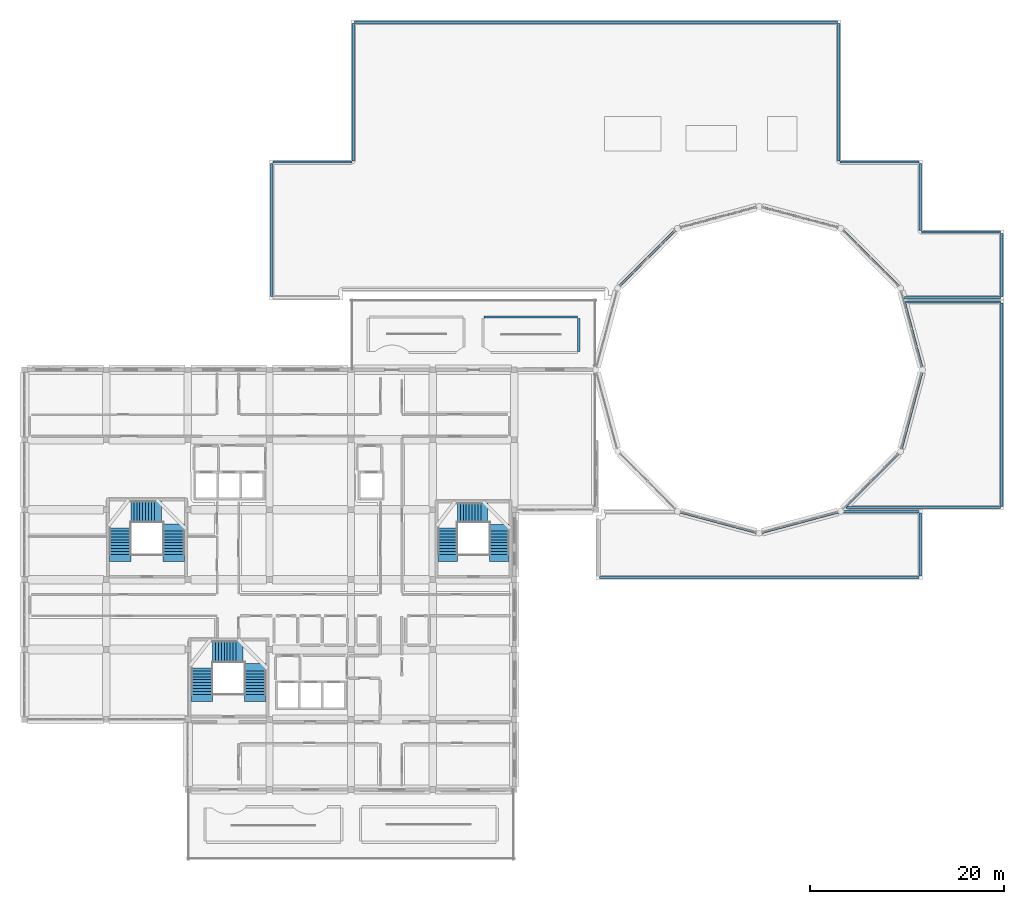
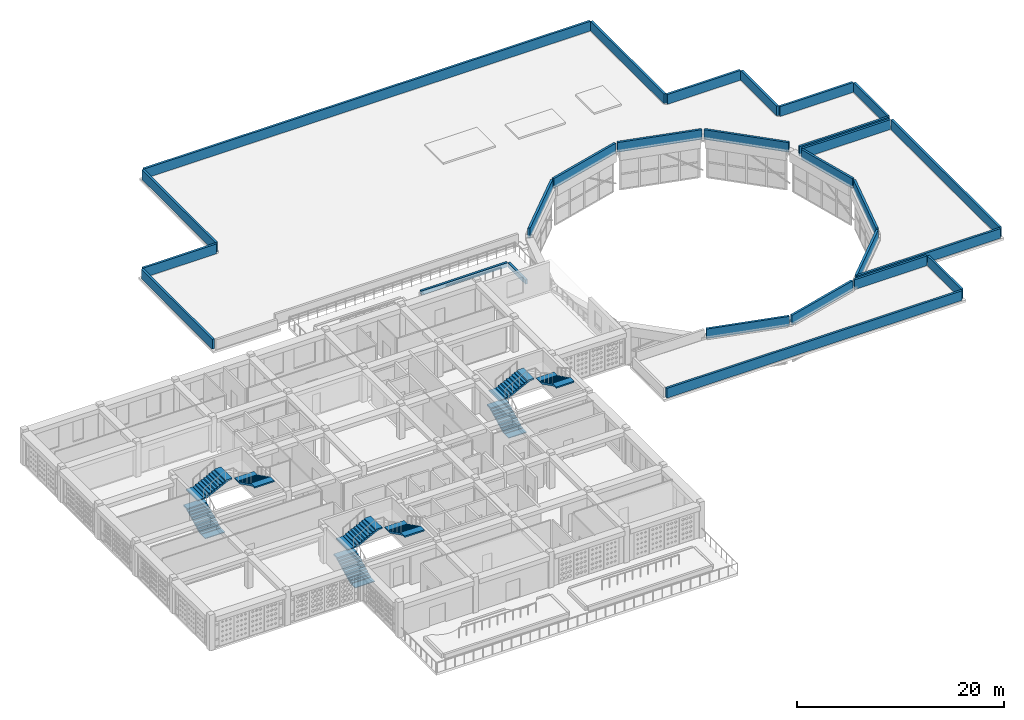
# One storey, part 33 of 48: 27 walls, 9 stair flights, 3 elements without a shape of their own.
"""IFC4 building model written with IfcOpenShell, lengths in metres."""

from ifc_helpers import new_model, si_unit, derived_unit, direction, frame, frame_2d, origin, place, context, subcontext, project, spatial, polyline, rectangle, outline, extrude, material, layer, layer_set, type_object, element, aggregate, save


model = new_model("IFC4")

# Units and contexts
model_context = context("Model", 3, precision=1e-05, world=origin(), true_north=direction((0.0, 1.0)))
body_context = subcontext(model_context, "Body", "Model", "MODEL_VIEW")
ifc_project = project(units=[si_unit("LENGTHUNIT", "METRE"), si_unit("AREAUNIT", "SQUARE_METRE"), si_unit("VOLUMEUNIT", "CUBIC_METRE"), si_unit("PLANEANGLEUNIT", "RADIAN"), si_unit("MASSUNIT", "GRAM", prefix="KILO"), derived_unit("THERMALTRANSMITTANCEUNIT", [(si_unit("POWERUNIT", "WATT"), 1), (si_unit("LENGTHUNIT", "METRE"), -2), (si_unit("THERMODYNAMICTEMPERATUREUNIT", "KELVIN"), -1)])], contexts=[model_context])

# Site, building, storey
site_placement = place(None, origin())
site = spatial("IfcSite", under=ifc_project, at=site_placement, CompositionType="ELEMENT")
building_placement = place(site_placement, origin())
building = spatial("IfcBuilding", under=site, at=building_placement, Name="Veybourne Emporium", CompositionType="ELEMENT")
storey_placement = place(building_placement, frame((0.0, 0.0, 27.89990234375)))
storey = spatial("IfcBuildingStorey", under=building, at=storey_placement, Name="L06", CompositionType="ELEMENT", Elevation=27.89990234375)

# Walls
ifc_material_1 = material(Name="Precast concrete C40/50", Category="concrete")
ifc_layer = layer(ifc_material_1, 0.239990234375)
ifc_layer_set = layer_set([ifc_layer], Name="Precast concrete C40/50")
wall_type = type_object("IfcWallType", Name="ExtWall_PW-02", PredefinedType="PARAPET", material=ifc_layer_set)
wall_1_placement = place(storey_placement, frame((47.300048828125, 55.830078125, 0.0), z_axis=(0.0, 0.0, 1.0), x_axis=(1.0, 0.0, 0.0)))
element("IfcWall", 1, at=wall_1_placement, inside=storey, type_object=wall_type, Name="L06 planted roof-garden kerb 002", PredefinedType="PARAPET", context=body_context, shape_type="SweptSolid", body=[
    extrude(rectangle(XDim=9.599853515625, YDim=0.239990234375, at=frame_2d((4.7998046875, 0.0))), origin(), (0.0, 0.0, 1.0), 0.5),
])
wall_2_placement = place(storey_placement, frame((57.030029296875, 55.699951171875, 0.0), z_axis=(0.0, 0.0, 1.0), x_axis=(0.0, -1.0, 0.0)))
element("IfcWall", 2, at=wall_2_placement, inside=storey, type_object=wall_type, Name="L06 planted roof-garden kerb 003", PredefinedType="PARAPET", context=body_context, shape_type="SweptSolid", body=[
    extrude(rectangle(XDim=3.39990234375, YDim=0.239990234375, at=frame_2d((1.699951171875, 0.0))), origin(), (0.0, 0.0, 1.0), 0.5),
])
wall_3_placement = place(storey_placement, frame((33.949951171875, 86.179931640625, 0.0), z_axis=(0.0, 0.0, 1.0), x_axis=(1.0, 0.0, 0.0)))
element("IfcWall", 3, at=wall_3_placement, inside=storey, type_object=wall_type, Name="L06 roof parapet wall 001", PredefinedType="PARAPET", context=body_context, shape_type="SweptSolid", body=[
    extrude(rectangle(XDim=49.699951171875, YDim=0.239990234375, at=frame_2d((24.85009765625, 0.0))), origin(), (0.0, 0.0, 1.0), 1.150146484375),
])
wall_4_placement = place(storey_placement, frame((83.780029296875, 86.050048828125, 0.0), z_axis=(0.0, 0.0, 1.0), x_axis=(0.0, -1.0, 0.0)))
element("IfcWall", 4, at=wall_4_placement, inside=storey, type_object=wall_type, Name="L06 roof parapet wall 002", PredefinedType="PARAPET", context=body_context, shape_type="SweptSolid", body=[
    extrude(rectangle(XDim=14.14013671875, YDim=0.239990234375, at=frame_2d((7.070068359375, 0.0))), origin(), (0.0, 0.0, 1.0), 1.150146484375),
])
wall_5_placement = place(storey_placement, frame((83.909912109375, 71.780029296875, 0.0), z_axis=(0.0, 0.0, 1.0), x_axis=(1.0, 0.0, 0.0)))
element("IfcWall", 5, at=wall_5_placement, inside=storey, type_object=wall_type, Name="L06 roof parapet wall 003", PredefinedType="PARAPET", context=body_context, shape_type="SweptSolid", body=[
    extrude(rectangle(XDim=8.14013671875, YDim=0.239990234375, at=frame_2d((4.070068359375, 0.0))), origin(), (0.0, 0.0, 1.0), 1.150146484375),
])
wall_6_placement = place(storey_placement, frame((92.179931640625, 71.64990234375, 0.0), z_axis=(0.0, 0.0, 1.0), x_axis=(0.0, -1.0, 0.0)))
element("IfcWall", 6, at=wall_6_placement, inside=storey, type_object=wall_type, Name="L06 roof parapet wall 004", PredefinedType="PARAPET", context=body_context, shape_type="SweptSolid", body=[
    extrude(rectangle(XDim=6.93994140625, YDim=0.239990234375, at=frame_2d((3.469970703125, 0.0))), origin(), (0.0, 0.0, 1.0), 1.150146484375),
])
wall_7_placement = place(storey_placement, frame((92.31005859375, 64.580078125, 0.0), z_axis=(0.0, 0.0, 1.0), x_axis=(1.0, 0.0, 0.0)))
element("IfcWall", 7, at=wall_7_placement, inside=storey, type_object=wall_type, Name="L06 roof parapet wall 005", PredefinedType="PARAPET", context=body_context, shape_type="SweptSolid", body=[
    extrude(rectangle(XDim=8.139892578125, YDim=0.239990234375, at=frame_2d((4.06982421875, 0.0))), origin(), (0.0, 0.0, 1.0), 1.150146484375),
])
wall_8_placement = place(storey_placement, frame((100.580078125, 64.449951171875, 0.0), z_axis=(0.0, 0.0, 1.0), x_axis=(0.0, -1.0, 0.0)))
element("IfcWall", 8, at=wall_8_placement, inside=storey, type_object=wall_type, Name="L06 roof parapet wall 006", PredefinedType="PARAPET", context=body_context, shape_type="SweptSolid", body=[
    extrude(rectangle(XDim=6.5, YDim=0.239990234375, at=frame_2d((3.25, 0.0))), origin(), (0.0, 0.0, 1.0), 1.150146484375),
])
wall_9_placement = place(storey_placement, frame((100.449951171875, 57.820068359375, 0.0), z_axis=(0.0, 0.0, 1.0), x_axis=(-1.0, 0.0, 0.0)))
element("IfcWall", 9, at=wall_9_placement, inside=storey, type_object=wall_type, Name="L06 roof parapet wall 007", PredefinedType="PARAPET", context=body_context, shape_type="SweptSolid", body=[
    extrude(rectangle(XDim=9.88037109375, YDim=0.239990234375, at=frame_2d((4.940185546875, 0.0))), origin(), (0.0, 0.0, 1.0), 1.150146484375),
])
for number, where, z_axis, x_axis, name in (
    (10, (90.081298828125, 58.90576171875, 0.0), (0.0, 0.0, 1.0), (-0.707106781187, 0.707106781187, 0.0), "L06 roof parapet wall 008"),
    (11, (83.888427734375, 65.0068359375, 0.0), (0.0, 0.0, 1.0), (-0.965924968615, 0.258822245964, 0.0), "L06 roof parapet wall 009"),
    (12, (75.474365234375, 67.194091796875, 0.0), (0.0, 0.0, 1.0), (-0.965923033247, -0.258829468651, 0.0), "L06 roof parapet wall 010"),
    (13, (67.09423828125, 64.88134765625, 0.0), (0.0, 0.0, 1.0), (-0.707106781187, -0.707106781187, 0.0), "L06 roof parapet wall 011"),
):
    element("IfcWall", number, at=place(storey_placement, frame(where, z_axis=z_axis, x_axis=x_axis)), inside=storey, type_object=wall_type, Name=name, PredefinedType="PARAPET", context=body_context, shape_type="SweptSolid", body=[
        extrude(rectangle(XDim=8.45068359375, YDim=0.239990234375, at=frame_2d((4.225341796875, 0.0))), origin(), (0.0, 0.0, 1.0), 1.150146484375),
    ])
wall_10_placement = place(storey_placement, frame((25.419921875, 57.949951171875, 0.0), z_axis=(0.0, 0.0, 1.0), x_axis=(0.0, 1.0, 0.0)))
element("IfcWall", 14, at=wall_10_placement, inside=storey, type_object=wall_type, Name="L06 roof parapet wall 014", PredefinedType="PARAPET", context=body_context, shape_type="SweptSolid", body=[
    extrude(rectangle(XDim=13.699951171875, YDim=0.239990234375, at=frame_2d((6.85009765625, 0.0))), origin(), (0.0, 0.0, 1.0), 1.150146484375),
])
wall_11_placement = place(storey_placement, frame((25.550048828125, 71.780029296875, 0.0), z_axis=(0.0, 0.0, 1.0), x_axis=(1.0, 0.0, 0.0)))
element("IfcWall", 15, at=wall_11_placement, inside=storey, type_object=wall_type, Name="L06 roof parapet wall 015", PredefinedType="PARAPET", context=body_context, shape_type="SweptSolid", body=[
    extrude(rectangle(XDim=8.139892578125, YDim=0.239990234375, at=frame_2d((4.06982421875, 0.0))), origin(), (0.0, 0.0, 1.0), 1.150146484375),
])
wall_12_placement = place(storey_placement, frame((33.820068359375, 71.909912109375, 0.0), z_axis=(0.0, 0.0, 1.0), x_axis=(0.0, 1.0, 0.0)))
element("IfcWall", 16, at=wall_12_placement, inside=storey, type_object=wall_type, Name="L06 roof parapet wall 016", PredefinedType="PARAPET", context=body_context, shape_type="SweptSolid", body=[
    extrude(rectangle(XDim=14.14013671875, YDim=0.239990234375, at=frame_2d((7.070068359375, 0.0))), origin(), (0.0, 0.0, 1.0), 1.150146484375),
])
for number, where, z_axis, x_axis, name in (
    (17, (67.486083984375, 35.746337890625, 0.0), (0.0, 0.0, 1.0), (0.965928022444, -0.258810848801, 0.0), "L06 roof parapet wall 017"),
    (18, (75.7255859375, 33.60595703125, 0.0), (0.0, 0.0, 1.0), (0.965928022444, 0.258810848801, 0.0), "L06 roof parapet wall 018"),
):
    element("IfcWall", number, at=place(storey_placement, frame(where, z_axis=z_axis, x_axis=x_axis)), inside=storey, type_object=wall_type, Name=name, PredefinedType="PARAPET", context=body_context, shape_type="SweptSolid", body=[
        extrude(rectangle(XDim=8.27001953125, YDim=0.239990234375, at=frame_2d((4.135009765625, 0.0))), origin(), (0.0, 0.0, 1.0), 1.150146484375),
    ])
wall_13_placement = place(storey_placement, frame((83.969482421875, 35.780029296875, 0.0), z_axis=(0.0, 0.0, 1.0), x_axis=(1.0, 0.0, 0.0)))
element("IfcWall", 19, at=wall_13_placement, inside=storey, type_object=wall_type, Name="L06 roof parapet wall 019", PredefinedType="PARAPET", context=body_context, shape_type="SweptSolid", body=[
    extrude(rectangle(XDim=8.08056640625, YDim=0.239990234375, at=frame_2d((4.040283203125, 0.0))), origin(), (0.0, 0.0, 1.0), 1.150146484375),
])
wall_14_placement = place(storey_placement, frame((92.179931640625, 35.64990234375, 0.0), z_axis=(0.0, 0.0, 1.0), x_axis=(0.0, -1.0, 0.0)))
element("IfcWall", 20, at=wall_14_placement, inside=storey, type_object=wall_type, Name="L06 roof parapet wall 020", PredefinedType="PARAPET", context=body_context, shape_type="SweptSolid", body=[
    extrude(rectangle(XDim=6.5, YDim=0.239990234375, at=frame_2d((3.25, 0.0))), origin(), (0.0, 0.0, 1.0), 1.150146484375),
])
wall_15_placement = place(storey_placement, frame((92.050048828125, 29.02001953125, 0.0), z_axis=(0.0, 0.0, 1.0), x_axis=(-1.0, 0.0, 0.0)))
element("IfcWall", 21, at=wall_15_placement, inside=storey, type_object=wall_type, Name="L06 roof parapet wall 021", PredefinedType="PARAPET", context=body_context, shape_type="SweptSolid", body=[
    extrude(rectangle(XDim=32.900146484375, YDim=0.239990234375, at=frame_2d((16.4501953125, 0.0))), origin(), (0.0, 0.0, 1.0), 1.150146484375),
])
wall_16_placement = place(storey_placement, frame((84.4990234375, 36.31201171875, 0.0), z_axis=(0.0, 0.0, 1.0), x_axis=(0.707106781187, 0.707106781187, 0.0)))
element("IfcWall", 22, at=wall_16_placement, inside=storey, type_object=wall_type, Name="L06 roof parapet wall 024", PredefinedType="PARAPET", context=body_context, shape_type="SweptSolid", body=[
    extrude(rectangle(XDim=7.89453125, YDim=0.239990234375, at=frame_2d((3.947265625, 0.0))), origin(), (0.0, 0.0, 1.0), 1.150146484375),
])
wall_17_placement = place(storey_placement, frame((90.20703125, 42.111572265625, 0.0), z_axis=(0.0, 0.0, 1.0), x_axis=(0.258795291313, 0.965932190785, 0.0)))
element("IfcWall", 23, at=wall_17_placement, inside=storey, type_object=wall_type, Name="L06 roof parapet wall 025", PredefinedType="PARAPET", context=body_context, shape_type="SweptSolid", body=[
    extrude(rectangle(XDim=8.45068359375, YDim=0.239990234375, at=frame_2d((4.225341796875, 0.0))), origin(), (0.0, 0.0, 1.0), 1.150146484375),
])
wall_18_placement = place(storey_placement, frame((92.39404296875, 50.525634765625, 0.0), z_axis=(0.0, 0.0, 1.0), x_axis=(-0.258820755509, 0.965925367986, 0.0)))
element("IfcWall", 24, at=wall_18_placement, inside=storey, type_object=wall_type, Name="L06 roof parapet wall 026", PredefinedType="PARAPET", context=body_context, shape_type="SweptSolid", body=[
    extrude(rectangle(XDim=6.966064453125, YDim=0.239990234375, at=frame_2d((3.48291015625, 0.0))), origin(), (0.0, 0.0, 1.0), 1.150146484375),
])
wall_19_placement = place(storey_placement, frame((90.6875, 57.3798828125, 0.0), z_axis=(0.0, 0.0, 1.0), x_axis=(1.0, 0.0, 0.0)))
element("IfcWall", 25, at=wall_19_placement, inside=storey, type_object=wall_type, Name="L06 roof parapet wall 027", PredefinedType="PARAPET", context=body_context, shape_type="SweptSolid", body=[
    extrude(rectangle(XDim=9.762451171875, YDim=0.239990234375, at=frame_2d((4.88134765625, 0.0))), origin(), (0.0, 0.0, 1.0), 1.150146484375),
])
wall_20_placement = place(storey_placement, frame((100.580078125, 57.25, 0.0), z_axis=(0.0, 0.0, 1.0), x_axis=(0.0, -1.0, 0.0)))
element("IfcWall", 26, at=wall_20_placement, inside=storey, type_object=wall_type, Name="L06 roof parapet wall 028", PredefinedType="PARAPET", context=body_context, shape_type="SweptSolid", body=[
    extrude(rectangle(XDim=20.89990234375, YDim=0.239990234375, at=frame_2d((10.449951171875, 0.0))), origin(), (0.0, 0.0, 1.0), 1.150146484375),
])
wall_21_placement = place(storey_placement, frame((100.449951171875, 36.219970703125, 0.0), z_axis=(0.0, 0.0, 1.0), x_axis=(-1.0, 0.0, 0.0)))
element("IfcWall", 27, at=wall_21_placement, inside=storey, type_object=wall_type, Name="L06 roof parapet wall 029", PredefinedType="PARAPET", context=body_context, shape_type="SweptSolid", body=[
    extrude(rectangle(XDim=15.912841796875, YDim=0.239990234375, at=frame_2d((7.95654296875, 0.0))), origin(), (0.0, 0.0, 1.0), 1.150146484375),
])

# Stair, stair flights
ifc_material_2 = material(Name="Concrete C32/40", Category="concrete")
stair_type_1 = type_object("IfcStairType", Name="Stair_ST-05-R28", PredefinedType="TWO_QUARTER_TURN_STAIR", material=ifc_material_2)
stair_1_placement = place(storey_placement, origin())
stair_1 = element("IfcStair", 28, at=stair_1_placement, inside=storey, type_object=stair_type_1, Name="L06 stair ST-05", PredefinedType="TWO_QUARTER_TURN_STAIR")
stair_flight_type_1 = type_object("IfcStairFlightType", Name="Flight_FL-2000-R10", PredefinedType="STRAIGHT", material=ifc_material_2)
stair_flight_1_placement = place(storey_placement, frame((43.550048828125, 31.39990234375, 0.0), z_axis=(0.0, 0.0, 1.0), x_axis=(0.0, 1.0, 0.0)))
stair_flight_1 = element("IfcStairFlight", 29, at=stair_flight_1_placement, type_object=stair_flight_type_1, Name="ST-05-R28 flight 1", NumberOfRisers=10, NumberOfTreads=9, PredefinedType="STRAIGHT", RiserHeight=0.15, TreadLength=0.3, context=body_context, shape_type="SweptSolid", body=[
    extrude(outline(polyline([(-0.75, 0.0), (-0.75, 0.080078125), (-0.375, 0.080078125), (0.0, 0.080078125), (0.0, 0.14990234375), (0.300048828125, 0.14990234375), (0.300048828125, 0.300048828125), (0.60009765625, 0.300048828125), (0.60009765625, 0.449951171875), (0.89990234375, 0.449951171875), (0.89990234375, 0.60009765625), (1.199951171875, 0.60009765625), (1.199951171875, 0.75), (1.5, 0.75), (1.5, 0.89990234375), (1.800048828125, 0.89990234375), (1.800048828125, 1.050048828125), (2.10009765625, 1.050048828125), (2.10009765625, 1.199951171875), (2.39990234375, 1.199951171875), (2.39990234375, 1.35009765625), (2.699951171875, 1.35009765625), (2.699951171875, 1.5), (3.074951171875, 1.5), (3.449951171875, 1.5), (3.449951171875, 1.340087890625), (3.074951171875, 1.340087890625), (2.699951171875, 1.171142578125), (0.357666015625, 0.0), (-0.75, 0.0)])), frame((0.0, 1.0, 0.0), z_axis=(0.0, -1.0, 0.0), x_axis=(1.0, 0.0, 0.0)), (0.0, 0.0, 1.0), 2.0),
])
stair_flight_2_placement = place(storey_placement, frame((44.550048828125, 35.699951171875, 1.5), z_axis=(0.0, 0.0, 1.0), x_axis=(1.0, 0.0, 0.0)))
stair_flight_2 = element("IfcStairFlight", 30, at=stair_flight_2_placement, type_object=stair_flight_type_1, Name="ST-05-R28 flight 2", NumberOfRisers=9, NumberOfTreads=8, PredefinedType="STRAIGHT", RiserHeight=0.15, TreadLength=0.3, context=body_context, shape_type="SweptSolid", body=[
    extrude(outline(polyline([(-0.75, 0.0), (-0.75, 0.080078125), (-0.375, 0.080078125), (0.0, 0.080078125), (0.0, 0.14990234375), (0.300048828125, 0.14990234375), (0.300048828125, 0.300048828125), (0.60009765625, 0.300048828125), (0.60009765625, 0.449951171875), (0.89990234375, 0.449951171875), (0.89990234375, 0.60009765625), (1.199951171875, 0.60009765625), (1.199951171875, 0.75), (1.5, 0.75), (1.5, 0.89990234375), (1.800048828125, 0.89990234375), (1.800048828125, 1.050048828125), (2.10009765625, 1.050048828125), (2.10009765625, 1.199951171875), (2.39990234375, 1.199951171875), (2.39990234375, 1.35009765625), (2.77490234375, 1.35009765625), (3.14990234375, 1.35009765625), (3.14990234375, 1.18994140625), (2.77490234375, 1.18994140625), (2.39990234375, 1.021240234375), (0.357666015625, 0.0), (-0.75, 0.0)])), frame((0.0, 1.0, 0.0), z_axis=(0.0, -1.0, 0.0), x_axis=(1.0, 0.0, 0.0)), (0.0, 0.0, 1.0), 2.0),
])
stair_flight_3_placement = place(storey_placement, frame((48.85009765625, 33.800048828125, 2.85009765625), z_axis=(0.0, 0.0, 1.0), x_axis=(0.0, -1.0, 0.0)))
stair_flight_3 = element("IfcStairFlight", 31, at=stair_flight_3_placement, type_object=stair_flight_type_1, Name="ST-05-R28 flight 3", NumberOfRisers=9, NumberOfTreads=8, PredefinedType="STRAIGHT", RiserHeight=0.15, TreadLength=0.3, context=body_context, shape_type="SweptSolid", body=[
    extrude(outline(polyline([(-0.75, 0.0), (-0.75, 0.080078125), (-0.375, 0.080078125), (0.0, 0.080078125), (0.0, 0.14990234375), (0.300048828125, 0.14990234375), (0.300048828125, 0.300048828125), (0.60009765625, 0.300048828125), (0.60009765625, 0.449951171875), (0.89990234375, 0.449951171875), (0.89990234375, 0.60009765625), (1.199951171875, 0.60009765625), (1.199951171875, 0.75), (1.5, 0.75), (1.5, 0.89990234375), (1.800048828125, 0.89990234375), (1.800048828125, 1.050048828125), (2.10009765625, 1.050048828125), (2.10009765625, 1.199951171875), (2.39990234375, 1.199951171875), (2.39990234375, 1.35009765625), (2.77490234375, 1.35009765625), (3.14990234375, 1.35009765625), (3.14990234375, 1.18994140625), (2.77490234375, 1.18994140625), (2.39990234375, 1.021240234375), (0.357666015625, 0.0), (-0.75, 0.0)])), frame((0.0, 1.0, 0.0), z_axis=(0.0, -1.0, 0.0), x_axis=(1.0, 0.0, 0.0)), (0.0, 0.0, 1.0), 2.0),
])
aggregate(stair_1, [stair_flight_1, stair_flight_2, stair_flight_3])

stair_type_2 = type_object("IfcStairType", Name="Stair_ST-01-R28", PredefinedType="TWO_QUARTER_TURN_STAIR", material=ifc_material_2)
stair_2_placement = place(storey_placement, origin())
stair_2 = element("IfcStair", 32, at=stair_2_placement, inside=storey, type_object=stair_type_2, Name="L06 stair ST-01", PredefinedType="TWO_QUARTER_TURN_STAIR")
stair_flight_type_2 = type_object("IfcStairFlightType", Name="Flight_FL-2200-R10", PredefinedType="STRAIGHT", material=ifc_material_2)
stair_flight_4_placement = place(storey_placement, frame((18.25, 17.0, 0.0), z_axis=(0.0, 0.0, 1.0), x_axis=(0.0, 1.0, 0.0)))
stair_flight_4 = element("IfcStairFlight", 33, at=stair_flight_4_placement, type_object=stair_flight_type_2, Name="ST-01-R28 flight 1", NumberOfRisers=10, NumberOfTreads=9, PredefinedType="STRAIGHT", RiserHeight=0.15, TreadLength=0.3, context=body_context, shape_type="SweptSolid", body=[
    extrude(outline(polyline([(-0.75, 0.0), (-0.75, 0.080078125), (-0.375, 0.080078125), (0.0, 0.080078125), (0.0, 0.14990234375), (0.300048828125, 0.14990234375), (0.300048828125, 0.300048828125), (0.60009765625, 0.300048828125), (0.60009765625, 0.449951171875), (0.89990234375, 0.449951171875), (0.89990234375, 0.60009765625), (1.199951171875, 0.60009765625), (1.199951171875, 0.75), (1.5, 0.75), (1.5, 0.89990234375), (1.800048828125, 0.89990234375), (1.800048828125, 1.050048828125), (2.10009765625, 1.050048828125), (2.10009765625, 1.199951171875), (2.39990234375, 1.199951171875), (2.39990234375, 1.35009765625), (2.699951171875, 1.35009765625), (2.699951171875, 1.5), (3.074951171875, 1.5), (3.449951171875, 1.5), (3.449951171875, 1.340087890625), (3.074951171875, 1.340087890625), (2.699951171875, 1.171142578125), (0.357666015625, 0.0), (-0.75, 0.0)])), frame((0.0, 1.10009765625, 0.0), z_axis=(0.0, -1.0, 0.0), x_axis=(1.0, 0.0, 0.0)), (0.0, 0.0, 1.0), 2.199951171875),
])
stair_flight_5_placement = place(storey_placement, frame((19.35009765625, 21.39990234375, 1.5), z_axis=(0.0, 0.0, 1.0), x_axis=(1.0, 0.0, 0.0)))
stair_flight_5 = element("IfcStairFlight", 34, at=stair_flight_5_placement, type_object=stair_flight_type_2, Name="ST-01-R28 flight 2", NumberOfRisers=9, NumberOfTreads=8, PredefinedType="STRAIGHT", RiserHeight=0.15, TreadLength=0.3, context=body_context, shape_type="SweptSolid", body=[
    extrude(outline(polyline([(-0.75, 0.0), (-0.75, 0.080078125), (-0.375, 0.080078125), (0.0, 0.080078125), (0.0, 0.14990234375), (0.300048828125, 0.14990234375), (0.300048828125, 0.300048828125), (0.60009765625, 0.300048828125), (0.60009765625, 0.449951171875), (0.89990234375, 0.449951171875), (0.89990234375, 0.60009765625), (1.199951171875, 0.60009765625), (1.199951171875, 0.75), (1.5, 0.75), (1.5, 0.89990234375), (1.800048828125, 0.89990234375), (1.800048828125, 1.050048828125), (2.10009765625, 1.050048828125), (2.10009765625, 1.199951171875), (2.39990234375, 1.199951171875), (2.39990234375, 1.35009765625), (2.77490234375, 1.35009765625), (3.14990234375, 1.35009765625), (3.14990234375, 1.18994140625), (2.77490234375, 1.18994140625), (2.39990234375, 1.021240234375), (0.357666015625, 0.0), (-0.75, 0.0)])), frame((0.0, 1.10009765625, 0.0), z_axis=(0.0, -1.0, 0.0), x_axis=(1.0, 0.0, 0.0)), (0.0, 0.0, 1.0), 2.199951171875),
])
stair_flight_6_placement = place(storey_placement, frame((23.75, 19.39990234375, 2.85009765625), z_axis=(0.0, 0.0, 1.0), x_axis=(0.0, -1.0, 0.0)))
stair_flight_6 = element("IfcStairFlight", 35, at=stair_flight_6_placement, type_object=stair_flight_type_2, Name="ST-01-R28 flight 3", NumberOfRisers=9, NumberOfTreads=8, PredefinedType="STRAIGHT", RiserHeight=0.15, TreadLength=0.3, context=body_context, shape_type="SweptSolid", body=[
    extrude(outline(polyline([(-0.75, 0.0), (-0.75, 0.080078125), (-0.375, 0.080078125), (0.0, 0.080078125), (0.0, 0.14990234375), (0.300048828125, 0.14990234375), (0.300048828125, 0.300048828125), (0.60009765625, 0.300048828125), (0.60009765625, 0.449951171875), (0.89990234375, 0.449951171875), (0.89990234375, 0.60009765625), (1.199951171875, 0.60009765625), (1.199951171875, 0.75), (1.5, 0.75), (1.5, 0.89990234375), (1.800048828125, 0.89990234375), (1.800048828125, 1.050048828125), (2.10009765625, 1.050048828125), (2.10009765625, 1.199951171875), (2.39990234375, 1.199951171875), (2.39990234375, 1.35009765625), (2.77490234375, 1.35009765625), (3.14990234375, 1.35009765625), (3.14990234375, 1.18994140625), (2.77490234375, 1.18994140625), (2.39990234375, 1.021240234375), (0.357666015625, 0.0), (-0.75, 0.0)])), frame((0.0, 1.10009765625, 0.0), z_axis=(0.0, -1.0, 0.0), x_axis=(1.0, 0.0, 0.0)), (0.0, 0.0, 1.0), 2.199951171875),
])
aggregate(stair_2, [stair_flight_4, stair_flight_5, stair_flight_6])

stair_type_3 = type_object("IfcStairType", Name="Stair_ST-02-R28", PredefinedType="TWO_QUARTER_TURN_STAIR", material=ifc_material_2)
stair_3_placement = place(storey_placement, origin())
stair_3 = element("IfcStair", 36, at=stair_3_placement, inside=storey, type_object=stair_type_3, Name="L06 stair ST-02", PredefinedType="TWO_QUARTER_TURN_STAIR")
stair_flight_7_placement = place(storey_placement, frame((9.85009765625, 31.39990234375, 0.0), z_axis=(0.0, 0.0, 1.0), x_axis=(0.0, 1.0, 0.0)))
stair_flight_7 = element("IfcStairFlight", 37, at=stair_flight_7_placement, type_object=stair_flight_type_2, Name="ST-02-R28 flight 1", NumberOfRisers=10, NumberOfTreads=9, PredefinedType="STRAIGHT", RiserHeight=0.15, TreadLength=0.3, context=body_context, shape_type="SweptSolid", body=[
    extrude(outline(polyline([(-0.75, 0.0), (-0.75, 0.080078125), (-0.375, 0.080078125), (0.0, 0.080078125), (0.0, 0.14990234375), (0.300048828125, 0.14990234375), (0.300048828125, 0.300048828125), (0.60009765625, 0.300048828125), (0.60009765625, 0.449951171875), (0.89990234375, 0.449951171875), (0.89990234375, 0.60009765625), (1.199951171875, 0.60009765625), (1.199951171875, 0.75), (1.5, 0.75), (1.5, 0.89990234375), (1.800048828125, 0.89990234375), (1.800048828125, 1.050048828125), (2.10009765625, 1.050048828125), (2.10009765625, 1.199951171875), (2.39990234375, 1.199951171875), (2.39990234375, 1.35009765625), (2.699951171875, 1.35009765625), (2.699951171875, 1.5), (3.074951171875, 1.5), (3.449951171875, 1.5), (3.449951171875, 1.340087890625), (3.074951171875, 1.340087890625), (2.699951171875, 1.171142578125), (0.357666015625, 0.0), (-0.75, 0.0)])), frame((0.0, 1.10009765625, 0.0), z_axis=(0.0, -1.0, 0.0), x_axis=(1.0, 0.0, 0.0)), (0.0, 0.0, 1.0), 2.199951171875),
])
stair_flight_8_placement = place(storey_placement, frame((10.949951171875, 35.800048828125, 1.5), z_axis=(0.0, 0.0, 1.0), x_axis=(1.0, 0.0, 0.0)))
stair_flight_8 = element("IfcStairFlight", 38, at=stair_flight_8_placement, type_object=stair_flight_type_2, Name="ST-02-R28 flight 2", NumberOfRisers=9, NumberOfTreads=8, PredefinedType="STRAIGHT", RiserHeight=0.15, TreadLength=0.3, context=body_context, shape_type="SweptSolid", body=[
    extrude(outline(polyline([(-0.75, 0.0), (-0.75, 0.080078125), (-0.375, 0.080078125), (0.0, 0.080078125), (0.0, 0.14990234375), (0.300048828125, 0.14990234375), (0.300048828125, 0.300048828125), (0.60009765625, 0.300048828125), (0.60009765625, 0.449951171875), (0.89990234375, 0.449951171875), (0.89990234375, 0.60009765625), (1.199951171875, 0.60009765625), (1.199951171875, 0.75), (1.5, 0.75), (1.5, 0.89990234375), (1.800048828125, 0.89990234375), (1.800048828125, 1.050048828125), (2.10009765625, 1.050048828125), (2.10009765625, 1.199951171875), (2.39990234375, 1.199951171875), (2.39990234375, 1.35009765625), (2.77490234375, 1.35009765625), (3.14990234375, 1.35009765625), (3.14990234375, 1.18994140625), (2.77490234375, 1.18994140625), (2.39990234375, 1.021240234375), (0.357666015625, 0.0), (-0.75, 0.0)])), frame((0.0, 1.10009765625, 0.0), z_axis=(0.0, -1.0, 0.0), x_axis=(1.0, 0.0, 0.0)), (0.0, 0.0, 1.0), 2.199951171875),
])
stair_flight_9_placement = place(storey_placement, frame((15.35009765625, 33.800048828125, 2.85009765625), z_axis=(0.0, 0.0, 1.0), x_axis=(0.0, -1.0, 0.0)))
stair_flight_9 = element("IfcStairFlight", 39, at=stair_flight_9_placement, type_object=stair_flight_type_2, Name="ST-02-R28 flight 3", NumberOfRisers=9, NumberOfTreads=8, PredefinedType="STRAIGHT", RiserHeight=0.15, TreadLength=0.3, context=body_context, shape_type="SweptSolid", body=[
    extrude(outline(polyline([(-0.75, 0.0), (-0.75, 0.080078125), (-0.375, 0.080078125), (0.0, 0.080078125), (0.0, 0.14990234375), (0.300048828125, 0.14990234375), (0.300048828125, 0.300048828125), (0.60009765625, 0.300048828125), (0.60009765625, 0.449951171875), (0.89990234375, 0.449951171875), (0.89990234375, 0.60009765625), (1.199951171875, 0.60009765625), (1.199951171875, 0.75), (1.5, 0.75), (1.5, 0.89990234375), (1.800048828125, 0.89990234375), (1.800048828125, 1.050048828125), (2.10009765625, 1.050048828125), (2.10009765625, 1.199951171875), (2.39990234375, 1.199951171875), (2.39990234375, 1.35009765625), (2.77490234375, 1.35009765625), (3.14990234375, 1.35009765625), (3.14990234375, 1.18994140625), (2.77490234375, 1.18994140625), (2.39990234375, 1.021240234375), (0.357666015625, 0.0), (-0.75, 0.0)])), frame((0.0, 1.10009765625, 0.0), z_axis=(0.0, -1.0, 0.0), x_axis=(1.0, 0.0, 0.0)), (0.0, 0.0, 1.0), 2.199951171875),
])
aggregate(stair_3, [stair_flight_7, stair_flight_8, stair_flight_9])

save(model, "model.ifc")
